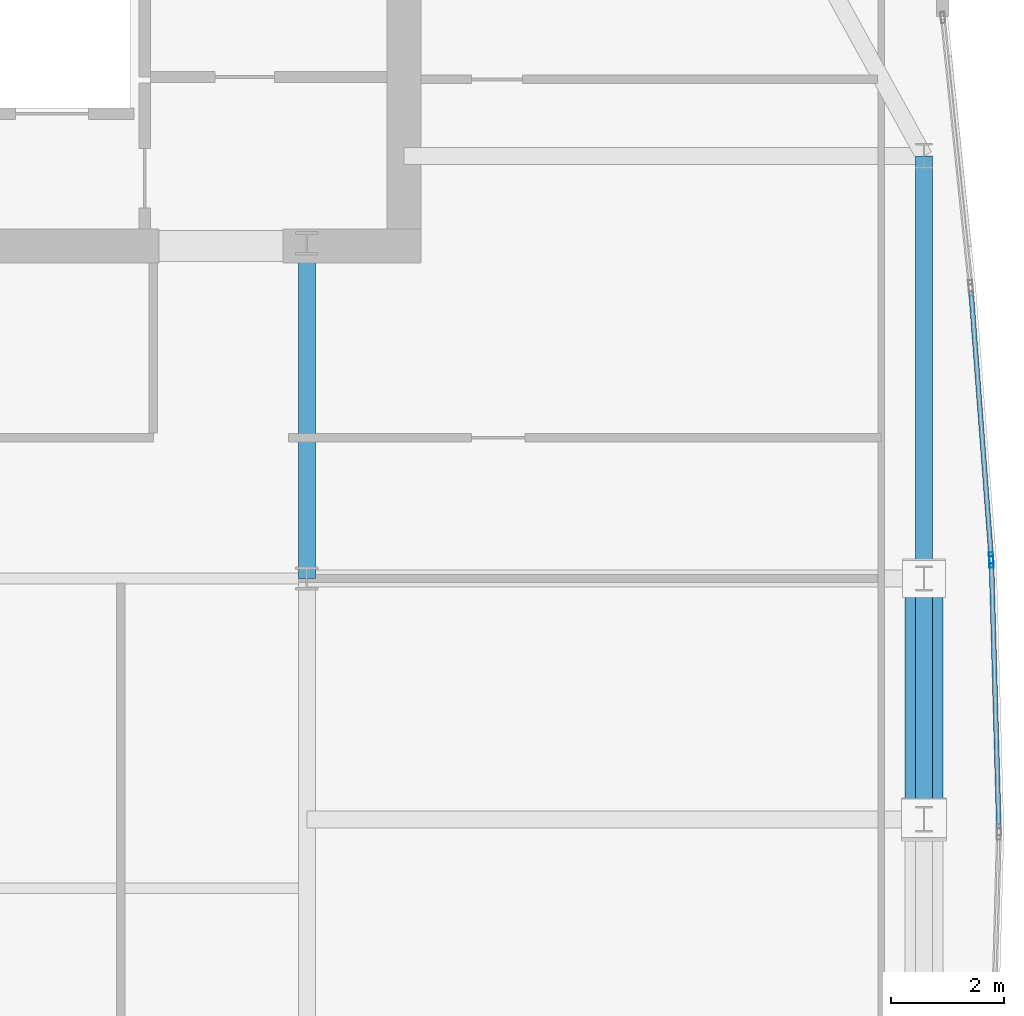
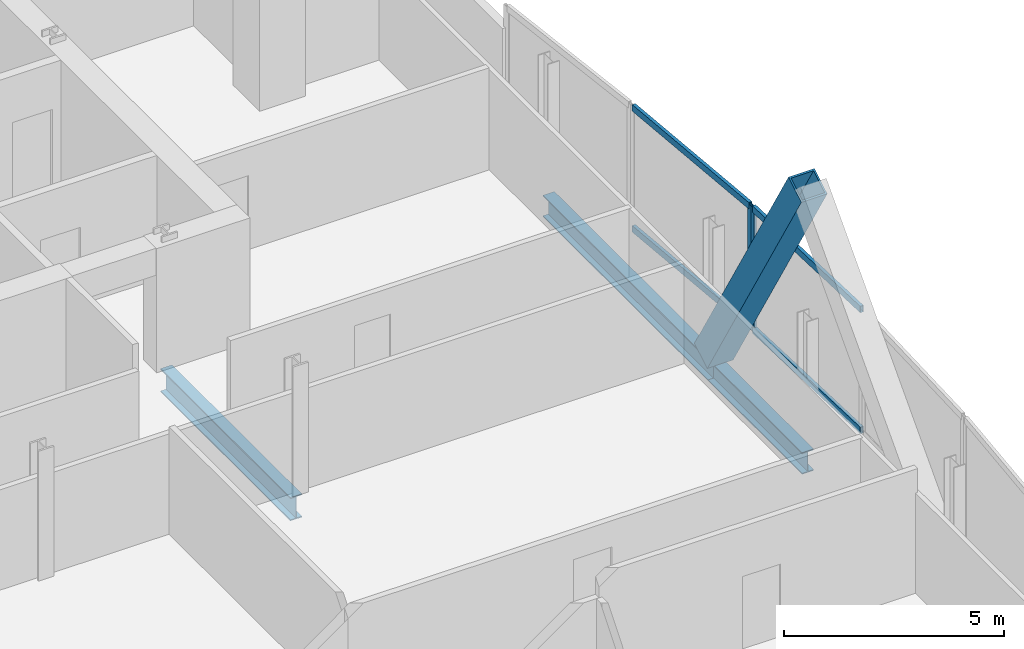
# One storey, part 21 of 32: 7 members, 3 beams, 2 elements without a shape of their own.
"""IFC4 building model written with IfcOpenShell, lengths in metres."""

from ifc_helpers import new_model, si_unit, direction, frame, origin, origin_2d, place, context, subcontext, project, spatial, hollow_rectangle, i_section, extrude, material, material_profile, profile_set, type_object, element, aggregate, save


model = new_model("IFC4")

# Units and contexts
model_context = context("Model", 3, precision=1e-05, world=origin(), true_north=direction((0.0, 1.0)))
body_context = subcontext(model_context, "Body", "Model", "MODEL_VIEW")
ifc_project = project(units=[si_unit("LENGTHUNIT", "METRE"), si_unit("AREAUNIT", "SQUARE_METRE"), si_unit("VOLUMEUNIT", "CUBIC_METRE"), si_unit("PLANEANGLEUNIT", "RADIAN"), si_unit("MASSUNIT", "GRAM", prefix="KILO")], contexts=[model_context])

# Site, building, storey
site_placement = place(None, origin())
site = spatial("IfcSite", under=ifc_project, at=site_placement, CompositionType="ELEMENT")
building_placement = place(site_placement, origin())
building = spatial("IfcBuilding", under=site, at=building_placement, Name="Khoronbel Lancet Exchange", CompositionType="ELEMENT")
storey_placement = place(building_placement, frame((0.0, 0.0, 231.800048828125)))
storey = spatial("IfcBuildingStorey", under=building, at=storey_placement, Name="L59", CompositionType="ELEMENT", Elevation=231.800048828125)

# Beams
ifc_material_1 = material(Name="Steel S355", Category="steel")
ifc_material_profile_1 = material_profile(ifc_material_1, i_section(OverallWidth=0.300048828125, OverallDepth=0.64990234375, WebThickness=0.01611328125, FlangeThickness=0.031005859375, at=origin_2d()), Name="HEB 650")
ifc_profile_set_1 = profile_set([ifc_material_profile_1], Name="Steel S355")
beam_type_1 = type_object("IfcBeamType", Name="BM-BG4", PredefinedType="BEAM", material=ifc_profile_set_1)
beam_1_placement = place(storey_placement, frame((54.675048828125, 35.699951171875, -0.485107421875), z_axis=(0.0, 1.0, 0.0), x_axis=(-1.0, 0.0, 0.0)))
element("IfcBeam", 1, at=beam_1_placement, inside=storey, type_object=beam_type_1, Name="Level L59 spine tie girder GN6", PredefinedType="BEAM", context=body_context, shape_type="SweptSolid", body=[
    extrude(i_section(OverallWidth=0.300048828125, OverallDepth=0.64990234375, WebThickness=0.01611328125, FlangeThickness=0.031005859375, at=origin_2d()), origin(), (0.0, 0.0, 1.0), 5.900146484375),
])
ifc_material_profile_2 = material_profile(ifc_material_1, i_section(OverallWidth=0.300048828125, OverallDepth=0.60009765625, WebThickness=0.015380859375, FlangeThickness=0.030029296875, at=origin_2d()), Name="HEB 600")
ifc_profile_set_2 = profile_set([ifc_material_profile_2], Name="Steel S355")
beam_type_2 = type_object("IfcBeamType", Name="BM-BSP2", PredefinedType="SPANDREL", material=ifc_profile_set_2)
beam_2_placement = place(storey_placement, frame((65.6298828125, 31.425048828125, -0.4599609375), z_axis=(0.0, 1.0, 0.0), x_axis=(-1.0, 0.0, 0.0)))
element("IfcBeam", 2, at=beam_2_placement, inside=storey, type_object=beam_type_2, Name="Level L59 perimeter spandrel beam SP13", PredefinedType="SPANDREL", context=body_context, shape_type="SweptSolid", body=[
    extrude(i_section(OverallWidth=0.300048828125, OverallDepth=0.60009765625, WebThickness=0.015380859375, FlangeThickness=0.030029296875, at=origin_2d()), origin(), (0.0, 0.0, 1.0), 4.27490234375),
])
beam_3_placement = place(storey_placement, frame((65.6298828125, 35.699951171875, -0.4599609375), z_axis=(0.0, 1.0, 0.0), x_axis=(-1.0, 0.0, 0.0)))
element("IfcBeam", 3, at=beam_3_placement, inside=storey, type_object=beam_type_2, Name="Level L59 perimeter spandrel beam SP14", PredefinedType="SPANDREL", context=body_context, shape_type="SweptSolid", body=[
    extrude(i_section(OverallWidth=0.300048828125, OverallDepth=0.60009765625, WebThickness=0.015380859375, FlangeThickness=0.030029296875, at=origin_2d()), origin(), (0.0, 0.0, 1.0), 7.5),
])

# Curtain wall, member
ifc_material_2 = material(Name="Low-E Solar Control Insulating Glass", Category="glass")
curtain_wall_type = type_object("IfcCurtainWallType", Name="CW-4", PredefinedType="NOTDEFINED", material=ifc_material_2)
curtain_wall_1_placement = place(storey_placement, origin())
curtain_wall_1 = element("IfcCurtainWall", 4, at=curtain_wall_1_placement, inside=storey, type_object=curtain_wall_type, Name="Unitised curtain wall CW-L59-E18", PredefinedType="NOTDEFINED")
ifc_material_3 = material(Name="Bronze-Anodised Aluminium 6063-T6", Category="aluminium")
ifc_material_profile_3 = material_profile(ifc_material_3, hollow_rectangle(XDim=0.074951171875, YDim=0.199951171875, WallThickness=0.0048828125, at=origin_2d()), Name="ALU MULLION 75x200")
ifc_profile_set_3 = profile_set([ifc_material_profile_3], Name="Bronze-Anodised Aluminium 6063-T6")
member_type_1 = type_object("IfcMemberType", Name="MEM-CWM2", PredefinedType="MULLION", material=ifc_profile_set_3)
member_1_placement = place(storey_placement, frame((66.8232421875, 36.066162109375, 0.0), z_axis=(0.0, 0.0, 1.0), x_axis=(0.997145938632, 0.075498192491, 0.0)))
member_1 = element("IfcMember", 5, at=member_1_placement, type_object=member_type_1, Name="CW4 mullion 2", PredefinedType="MULLION", context=body_context, shape_type="SweptSolid", body=[
    extrude(hollow_rectangle(XDim=0.074951171875, YDim=0.199951171875, WallThickness=0.0048828125, at=origin_2d()), origin(), (0.0, 0.0, 1.0), 3.43994140625),
])

curtain_wall_2_placement = place(storey_placement, origin())
curtain_wall_2 = element("IfcCurtainWall", 6, at=curtain_wall_2_placement, inside=storey, type_object=curtain_wall_type, Name="Unitised curtain wall CW-L59-E19", PredefinedType="NOTDEFINED")
member_2_placement = place(storey_placement, frame((66.8271484375, 35.9912109375, 0.0), z_axis=(0.0, 0.0, 1.0), x_axis=(0.999615744286, 0.027719375438, 0.0)))
member_2 = element("IfcMember", 7, at=member_2_placement, type_object=member_type_1, Name="CW4 mullion 1", PredefinedType="MULLION", context=body_context, shape_type="SweptSolid", body=[
    extrude(hollow_rectangle(XDim=0.074951171875, YDim=0.199951171875, WallThickness=0.0048828125, at=origin_2d()), origin(), (0.0, 0.0, 1.0), 3.43994140625),
])

# Member
ifc_material_profile_4 = material_profile(ifc_material_3, hollow_rectangle(XDim=0.0849609375, YDim=0.179931640625, WallThickness=0.0048828125, at=origin_2d()), Name="ALU TRANSOM 85x180")
ifc_profile_set_4 = profile_set([ifc_material_profile_4], Name="Bronze-Anodised Aluminium 6063-T6")
member_type_2 = type_object("IfcMemberType", Name="MEM-CWT1", PredefinedType="USERDEFINED", material=ifc_profile_set_4)
member_3_placement = place(storey_placement, frame((66.466064453125, 40.783935546875, 0.04248046875), z_axis=(0.075523090357, -0.997144053195, 0.0), x_axis=(0.997144053195, 0.075523090357, 0.0)))
member_3 = element("IfcMember", 8, at=member_3_placement, type_object=member_type_2, Name="CW4 transom 1.1", ObjectType="TRANSOM", PredefinedType="USERDEFINED", context=body_context, shape_type="SweptSolid", body=[
    extrude(hollow_rectangle(XDim=0.0849609375, YDim=0.179931640625, WallThickness=0.0048828125, at=origin_2d()), origin(), (0.0, 0.0, 1.0), 4.69384765625),
])

member_4_placement = place(storey_placement, frame((66.466064453125, 40.783935546875, 3.3974609375), z_axis=(0.075523090357, -0.997144053195, 0.0), x_axis=(0.997144053195, 0.075523090357, 0.0)))
member_4 = element("IfcMember", 9, at=member_4_placement, type_object=member_type_2, Name="CW4 transom 1.2", ObjectType="TRANSOM", PredefinedType="USERDEFINED", context=body_context, shape_type="SweptSolid", body=[
    extrude(hollow_rectangle(XDim=0.0849609375, YDim=0.179931640625, WallThickness=0.0048828125, at=origin_2d()), origin(), (0.0, 0.0, 1.0), 4.69384765625),
])

aggregate(curtain_wall_1, [member_1, member_3, member_4])

member_5_placement = place(storey_placement, frame((66.828125, 35.95361328125, 0.04248046875), z_axis=(0.027749693616, -0.999614903102, 0.0), x_axis=(0.999614903102, 0.027749693616, 0.0)))
member_5 = element("IfcMember", 10, at=member_5_placement, type_object=member_type_2, Name="CW4 transom 1.1", ObjectType="TRANSOM", PredefinedType="USERDEFINED", context=body_context, shape_type="SweptSolid", body=[
    extrude(hollow_rectangle(XDim=0.0849609375, YDim=0.179931640625, WallThickness=0.0048828125, at=origin_2d()), origin(), (0.0, 0.0, 1.0), 4.680419921875),
])

member_6_placement = place(storey_placement, frame((66.828125, 35.95361328125, 3.3974609375), z_axis=(0.027749693616, -0.999614903102, 0.0), x_axis=(0.999614903102, 0.027749693616, 0.0)))
member_6 = element("IfcMember", 11, at=member_6_placement, type_object=member_type_2, Name="CW4 transom 1.2", ObjectType="TRANSOM", PredefinedType="USERDEFINED", context=body_context, shape_type="SweptSolid", body=[
    extrude(hollow_rectangle(XDim=0.0849609375, YDim=0.179931640625, WallThickness=0.0048828125, at=origin_2d()), origin(), (0.0, 0.0, 1.0), 4.680419921875),
])

aggregate(curtain_wall_2, [member_2, member_5, member_6])

ifc_material_4 = material(Name="Steel S460", Category="steel")
ifc_material_profile_5 = material_profile(ifc_material_4, hollow_rectangle(XDim=0.679931640625, YDim=0.679931640625, WallThickness=0.044921875, at=origin_2d()), Name="BOX 680x680x45")
ifc_profile_set_5 = profile_set([ifc_material_profile_5], Name="Steel S460")
member_type_3 = type_object("IfcMemberType", Name="MEM-MB3", PredefinedType="BRACE", material=ifc_profile_set_5)
member_7_placement = place(storey_placement, frame((65.6298828125, 35.699951171875, 0.0), z_axis=(0.0, -0.510532691247, 0.859858343664), x_axis=(1.0, 0.0, 0.0)))
element("IfcMember", 12, at=member_7_placement, inside=storey, type_object=member_type_3, Name="Perimeter lancet brace tier 20 E-P-R", PredefinedType="BRACE", context=body_context, shape_type="SweptSolid", body=[
    extrude(hollow_rectangle(XDim=0.679931640625, YDim=0.679931640625, WallThickness=0.044921875, at=origin_2d()), origin(), (0.0, 0.0, 1.0), 8.37353515625),
])

save(model, "model.ifc")
